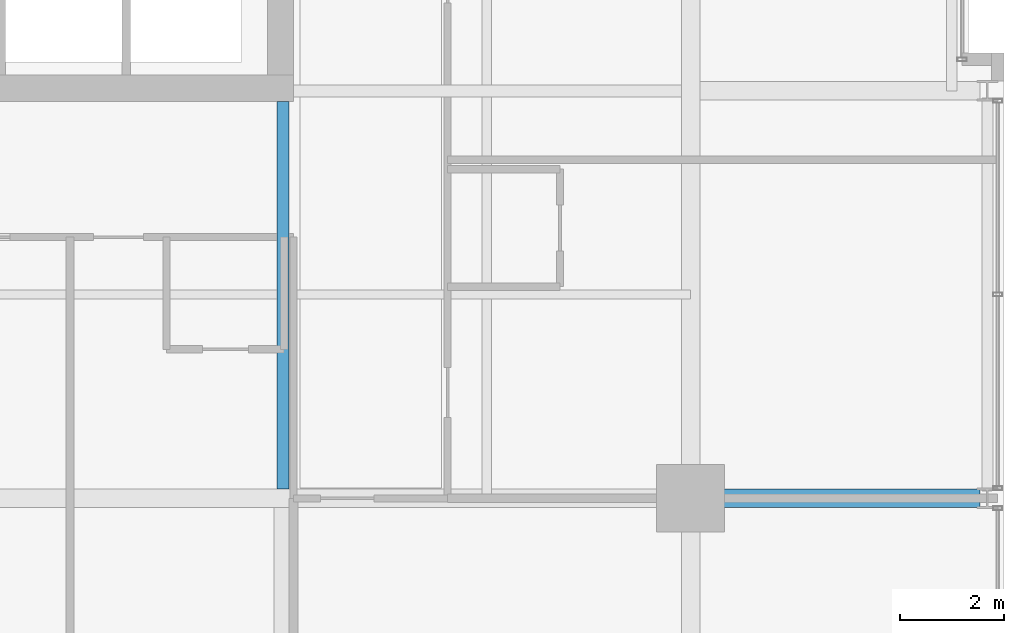
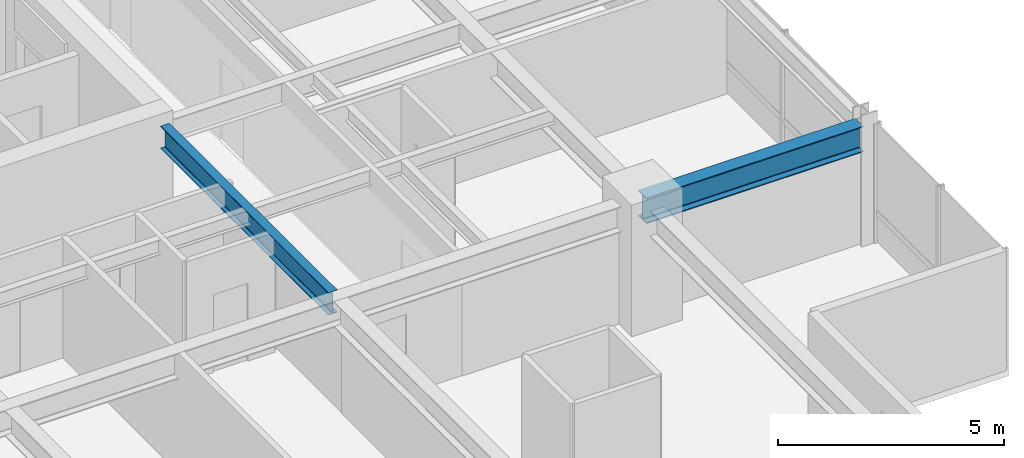
# One storey, part 12 of 33: 2 beams.
"""IFC4 building model written with IfcOpenShell, lengths in metres."""

from ifc_helpers import new_model, si_unit, direction, frame, origin, origin_2d, place, context, subcontext, project, spatial, i_section, extrude, material, material_profile, profile_set, type_object, element, save


model = new_model("IFC4")

# Units and contexts
model_context = context("Model", 3, precision=1e-05, world=origin(), true_north=direction((0.0, 1.0)))
body_context = subcontext(model_context, "Body", "Model", "MODEL_VIEW")
ifc_project = project(units=[si_unit("LENGTHUNIT", "METRE"), si_unit("AREAUNIT", "SQUARE_METRE"), si_unit("VOLUMEUNIT", "CUBIC_METRE"), si_unit("PLANEANGLEUNIT", "RADIAN"), si_unit("MASSUNIT", "GRAM", prefix="KILO")], contexts=[model_context])

# Site, building, storey
site_placement = place(None, origin())
site = spatial("IfcSite", under=ifc_project, at=site_placement, CompositionType="ELEMENT")
building_placement = place(site_placement, origin())
building = spatial("IfcBuilding", under=site, at=building_placement, Name="Drelvath Grand Hotel", CompositionType="ELEMENT")
storey_placement = place(building_placement, frame((0.0, 0.0, 196.550048828125)))
storey = spatial("IfcBuildingStorey", under=building, at=storey_placement, Name="L51", CompositionType="ELEMENT", Elevation=196.550048828125)

# Beams
ifc_material = material(Name="Steel ASTM A992 Gr 50", Category="steel")
ifc_material_profile_1 = material_profile(ifc_material, i_section(OverallWidth=0.228271484375, OverallDepth=0.607666015625, WebThickness=0.01123046875, FlangeThickness=0.017333984375, FilletRadius=0.02001953125, at=origin_2d()), Name="W24X76")
ifc_profile_set_1 = profile_set([ifc_material_profile_1], Name="Steel ASTM A992 Gr 50")
beam_type_1 = type_object("IfcBeamType", Name="Primary Floor Girder W24X76", PredefinedType="BEAM", material=ifc_profile_set_1)
beam_1_placement = place(storey_placement, frame((8.39990234375, 10.977294921875, 2.92626953125), z_axis=(0.0, 1.0, 0.0), x_axis=(-1.0, 0.0, 0.0)))
element("IfcBeam", 1, at=beam_1_placement, inside=storey, type_object=beam_type_1, Name="L51 South Core Tie 6", PredefinedType="BEAM", context=body_context, shape_type="SweptSolid", body=[
    extrude(i_section(OverallWidth=0.228271484375, OverallDepth=0.607666015625, WebThickness=0.01123046875, FlangeThickness=0.017333984375, FilletRadius=0.02001953125, at=origin_2d()), origin(), (0.0, 0.0, 1.0), 7.422607421875),
])
ifc_material_profile_2 = material_profile(ifc_material, i_section(OverallWidth=0.354736328125, OverallDepth=0.695556640625, WebThickness=0.015380859375, FlangeThickness=0.025146484375, FilletRadius=0.02392578125, at=origin_2d()), Name="W27X146")
ifc_profile_set_2 = profile_set([ifc_material_profile_2], Name="Steel ASTM A992 Gr 50")
beam_type_2 = type_object("IfcBeamType", Name="Primary Floor Girder W27X146", PredefinedType="BEAM", material=ifc_profile_set_2)
beam_2_placement = place(storey_placement, frame((16.199951171875, 10.800048828125, 2.88232421875), z_axis=(1.0, 0.0, 0.0), x_axis=(0.0, 1.0, 0.0)))
element("IfcBeam", 2, at=beam_2_placement, inside=storey, type_object=beam_type_2, Name="L51 East Grid Girder C", PredefinedType="BEAM", context=body_context, shape_type="SweptSolid", body=[
    extrude(i_section(OverallWidth=0.354736328125, OverallDepth=0.695556640625, WebThickness=0.015380859375, FlangeThickness=0.025146484375, FilletRadius=0.02392578125, at=origin_2d()), origin(), (0.0, 0.0, 1.0), 5.5400390625),
])

save(model, "model.ifc")
